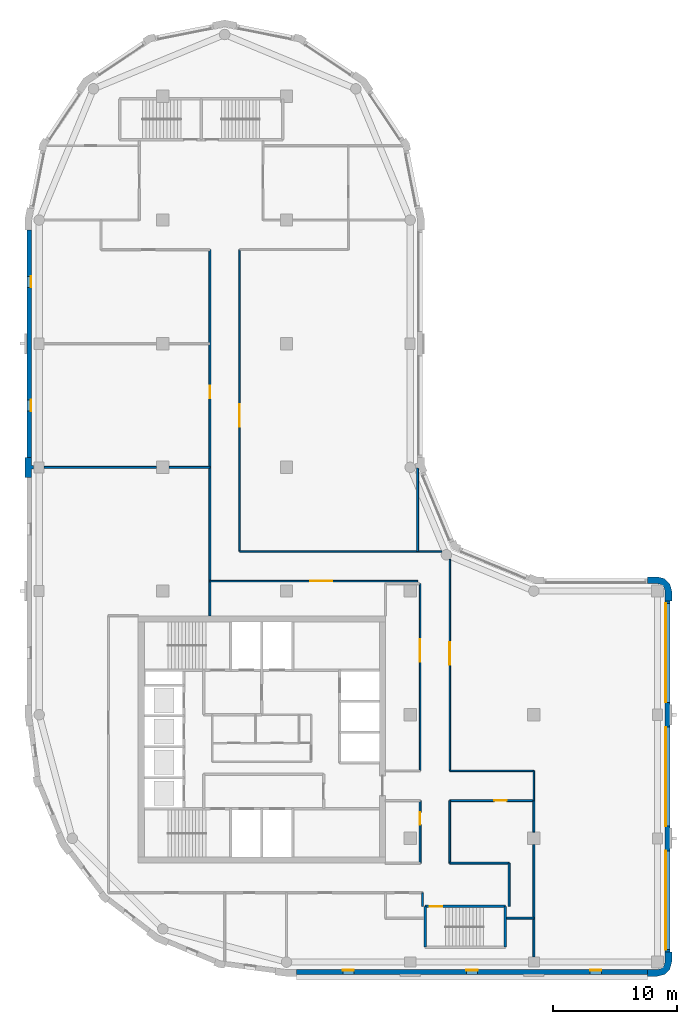
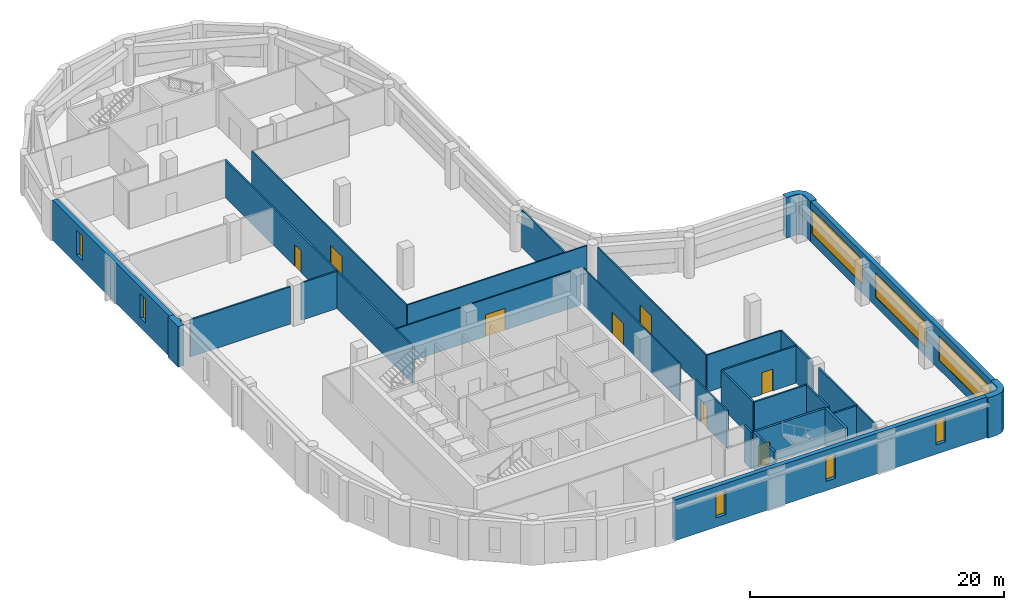
# One storey, part 4 of 9: 29 walls, 8 doors, 8 windows, 16 openings.
"""IFC4 building model written with IfcOpenShell, lengths in metres."""

from ifc_helpers import new_model, si_unit, direction, frame, frame_2d, origin, place, context, subcontext, project, spatial, polyline, rectangle, outline, extrude, material, layer, layer_set, type_object, element, fill, save


model = new_model("IFC4")

# Units and contexts
model_context = context("Model", 3, precision=1e-05, world=origin(), true_north=direction((0.0, 1.0)))
body_context = subcontext(model_context, "Body", "Model", "MODEL_VIEW")
ifc_project = project(units=[si_unit("LENGTHUNIT", "METRE"), si_unit("AREAUNIT", "SQUARE_METRE"), si_unit("VOLUMEUNIT", "CUBIC_METRE"), si_unit("PLANEANGLEUNIT", "RADIAN"), si_unit("MASSUNIT", "GRAM", prefix="KILO")], contexts=[model_context])

# Site, building, storey
site_placement = place(None, origin())
site = spatial("IfcSite", under=ifc_project, at=site_placement, CompositionType="ELEMENT")
building_placement = place(site_placement, origin())
building = spatial("IfcBuilding", under=site, at=building_placement, Name="Qaws Garden Tower", CompositionType="ELEMENT")
storey_placement = place(building_placement, frame((0.0, 0.0, 251.39990234375)))
storey = spatial("IfcBuildingStorey", under=building, at=storey_placement, Name="L60", CompositionType="ELEMENT", Elevation=251.39990234375)

# Walls
ifc_material_1 = material(Name="Clay facing brick masonry", Category="masonry")
ifc_layer_1 = layer(ifc_material_1, 0.550048828125)
ifc_layer_set_1 = layer_set([ifc_layer_1], Name="Clay facing brick masonry")
wall_type_1 = type_object("IfcWallType", Name="Brick corner pier 550 x 2400", PredefinedType="SOLIDWALL", material=ifc_layer_set_1)
placement = place(storey_placement, origin())
element("IfcWall", 1, at=placement, inside=storey, type_object=wall_type_1, Name="E-L60-pier-03", PredefinedType="SOLIDWALL", context=body_context, shape_type="SweptSolid", body=[
    extrude(outline(polyline([(49.199951171875, -1.0), (49.199951171875, -1.14990234375), (50.0, -1.14990234375), (50.574951171875, -0.995849609375), (50.995849609375, -0.574951171875), (51.14990234375, 0.0), (51.14990234375, 0.800048828125), (51.0, 0.800048828125), (50.60009765625, 0.800048828125), (50.60009765625, 0.0), (50.51953125, -0.300048828125), (50.300048828125, -0.51953125), (50.0, -0.60009765625), (49.199951171875, -0.60009765625), (49.199951171875, -1.0)])), origin(), (0.0, 0.0, 1.0), 3.900146484375),
])
element("IfcWall", 2, at=placement, inside=storey, type_object=wall_type_1, Name="E-L60-pier-06", PredefinedType="SOLIDWALL", context=body_context, shape_type="SweptSolid", body=[
    extrude(outline(polyline([(51.0, 29.199951171875), (51.14990234375, 29.199951171875), (51.14990234375, 30.0), (50.995849609375, 30.574951171875), (50.574951171875, 30.995849609375), (50.0, 31.14990234375), (49.199951171875, 31.14990234375), (49.199951171875, 31.0), (49.199951171875, 30.60009765625), (50.0, 30.60009765625), (50.300048828125, 30.51953125), (50.51953125, 30.300048828125), (50.60009765625, 30.0), (50.60009765625, 29.199951171875), (51.0, 29.199951171875)])), origin(), (0.0, 0.0, 1.0), 3.900146484375),
])

# Wall, openings, windows
ifc_material_2 = material(Name="Clay facing brick masonry", Category="masonry")
ifc_layer_2 = layer(ifc_material_2, 0.39990234375)
ifc_layer_set_2 = layer_set([ifc_layer_2], Name="Clay facing brick masonry")
wall_type_2 = type_object("IfcWallType", Name="Brick infill wall 400", PredefinedType="SOLIDWALL", material=ifc_layer_set_2)
wall_3_placement = place(storey_placement, frame((20.800048828125, -0.800048828125, 0.0), z_axis=(0.0, 0.0, 1.0), x_axis=(1.0, 0.0, 0.0)))
wall_3 = element("IfcWall", 3, at=wall_3_placement, inside=storey, type_object=wall_type_2, Name="E-L60-infill-00", PredefinedType="SOLIDWALL", context=body_context, shape_type="SweptSolid", body=[
    extrude(rectangle(XDim=28.39990234375, YDim=0.39990234375, at=frame_2d((14.199951171875, 0.0))), origin(), (0.0, 0.0, 1.0), 3.900146484375),
])
opening_1_placement = place(wall_3_placement, frame((3.75, 0.0, 0.89990234375)))
opening_1 = element("IfcOpeningElement", 4, at=opening_1_placement, cuts=wall_3, Name="Opening W09", PredefinedType="OPENING", context=body_context, shape_type="SweptSolid", body=[
    extrude(rectangle(XDim=0.89990234375, YDim=2.35009765625, at=frame_2d((0.449951171875, 1.175048828125))), frame((0.0, 0.2099609375, 0.0), z_axis=(0.0, -1.0, 0.0), x_axis=(1.0, 0.0, 0.0)), (0.0, 0.0, 1.0), 0.419921875),
])
opening_2_placement = place(wall_3_placement, frame((13.75, 0.0, 0.89990234375)))
opening_2 = element("IfcOpeningElement", 5, at=opening_2_placement, cuts=wall_3, Name="Opening W09", PredefinedType="OPENING", context=body_context, shape_type="SweptSolid", body=[
    extrude(rectangle(XDim=0.89990234375, YDim=2.35009765625, at=frame_2d((0.449951171875, 1.175048828125))), frame((0.0, 0.2099609375, 0.0), z_axis=(0.0, -1.0, 0.0), x_axis=(1.0, 0.0, 0.0)), (0.0, 0.0, 1.0), 0.419921875),
])
opening_3_placement = place(wall_3_placement, frame((23.75, 0.0, 0.89990234375)))
opening_3 = element("IfcOpeningElement", 6, at=opening_3_placement, cuts=wall_3, Name="Opening W09", PredefinedType="OPENING", context=body_context, shape_type="SweptSolid", body=[
    extrude(rectangle(XDim=0.89990234375, YDim=2.35009765625, at=frame_2d((0.449951171875, 1.175048828125))), frame((0.0, 0.2099609375, 0.0), z_axis=(0.0, -1.0, 0.0), x_axis=(1.0, 0.0, 0.0)), (0.0, 0.0, 1.0), 0.419921875),
])
ifc_material_3 = material(Name="Aluminium framed window, clear glazing", Category="aluminium")
window_type_1 = type_object("IfcWindowType", Name="Slit window 900 x 2350", PartitioningType="SINGLE_PANEL", PredefinedType="WINDOW", material=ifc_material_3)
window_1_placement = place(opening_1_placement, origin())
window_1 = element("IfcWindow", 7, at=window_1_placement, inside=storey, type_object=window_type_1, Name="E-L60-window-00-0", OverallHeight=2.35009765625, OverallWidth=0.89990234375, PartitioningType="SINGLE_PANEL", PredefinedType="WINDOW", context=body_context, shape_type="SweptSolid", body=[
    extrude(rectangle(XDim=0.89990234375, YDim=2.35009765625, at=frame_2d((0.449951171875, 1.175048828125))), frame((0.0, 0.159912109375, 0.0), z_axis=(0.0, -1.0, 0.0), x_axis=(1.0, 0.0, 0.0)), (0.0, 0.0, 1.0), 0.06005859375),
])
fill(opening_1, window_1)
window_2_placement = place(opening_2_placement, origin())
window_2 = element("IfcWindow", 8, at=window_2_placement, inside=storey, type_object=window_type_1, Name="E-L60-window-01-0", OverallHeight=2.35009765625, OverallWidth=0.89990234375, PartitioningType="SINGLE_PANEL", PredefinedType="WINDOW", context=body_context, shape_type="SweptSolid", body=[
    extrude(rectangle(XDim=0.89990234375, YDim=2.35009765625, at=frame_2d((0.449951171875, 1.175048828125))), frame((0.0, 0.159912109375, 0.0), z_axis=(0.0, -1.0, 0.0), x_axis=(1.0, 0.0, 0.0)), (0.0, 0.0, 1.0), 0.06005859375),
])
fill(opening_2, window_2)
window_3_placement = place(opening_3_placement, origin())
window_3 = element("IfcWindow", 9, at=window_3_placement, inside=storey, type_object=window_type_1, Name="E-L60-window-02-0", OverallHeight=2.35009765625, OverallWidth=0.89990234375, PartitioningType="SINGLE_PANEL", PredefinedType="WINDOW", context=body_context, shape_type="SweptSolid", body=[
    extrude(rectangle(XDim=0.89990234375, YDim=2.35009765625, at=frame_2d((0.449951171875, 1.175048828125))), frame((0.0, 0.159912109375, 0.0), z_axis=(0.0, -1.0, 0.0), x_axis=(1.0, 0.0, 0.0)), (0.0, 0.0, 1.0), 0.06005859375),
])
fill(opening_3, window_3)

wall_4_placement = place(storey_placement, frame((50.800048828125, 0.800048828125, 0.0), z_axis=(0.0, 0.0, 1.0), x_axis=(0.0, 1.0, 0.0)))
wall_4 = element("IfcWall", 10, at=wall_4_placement, inside=storey, type_object=wall_type_2, Name="E-L60-infill-03", PredefinedType="SOLIDWALL", context=body_context, shape_type="SweptSolid", body=[
    extrude(rectangle(XDim=28.39990234375, YDim=0.39990234375, at=frame_2d((14.199951171875, 0.0))), origin(), (0.0, 0.0, 1.0), 3.900146484375),
])
opening_4_placement = place(wall_4_placement, frame((0.199951171875, 0.0, 0.89990234375)))
opening_4 = element("IfcOpeningElement", 11, at=opening_4_placement, cuts=wall_4, Name="Opening W01", PredefinedType="OPENING", context=body_context, shape_type="SweptSolid", body=[
    extrude(rectangle(XDim=8.0, YDim=2.35009765625, at=frame_2d((4.0, 1.175048828125))), frame((0.0, 0.2099609375, 0.0), z_axis=(0.0, -1.0, 0.0), x_axis=(1.0, 0.0, 0.0)), (0.0, 0.0, 1.0), 0.419921875),
])
opening_5_placement = place(wall_4_placement, frame((10.199951171875, 0.0, 0.89990234375)))
opening_5 = element("IfcOpeningElement", 12, at=opening_5_placement, cuts=wall_4, Name="Opening W01", PredefinedType="OPENING", context=body_context, shape_type="SweptSolid", body=[
    extrude(rectangle(XDim=8.0, YDim=2.35009765625, at=frame_2d((4.0, 1.175048828125))), frame((0.0, 0.2099609375, 0.0), z_axis=(0.0, -1.0, 0.0), x_axis=(1.0, 0.0, 0.0)), (0.0, 0.0, 1.0), 0.419921875),
])
opening_6_placement = place(wall_4_placement, frame((20.199951171875, 0.0, 0.89990234375)))
opening_6 = element("IfcOpeningElement", 13, at=opening_6_placement, cuts=wall_4, Name="Opening W01", PredefinedType="OPENING", context=body_context, shape_type="SweptSolid", body=[
    extrude(rectangle(XDim=8.0, YDim=2.35009765625, at=frame_2d((4.0, 1.175048828125))), frame((0.0, 0.2099609375, 0.0), z_axis=(0.0, -1.0, 0.0), x_axis=(1.0, 0.0, 0.0)), (0.0, 0.0, 1.0), 0.419921875),
])
ifc_material_4 = material(Name="Aluminium framed window, clear glazing", Category="aluminium")
window_type_2 = type_object("IfcWindowType", Name="Ribbon window 8000 x 2350", PartitioningType="DOUBLE_PANEL_VERTICAL", PredefinedType="WINDOW", material=ifc_material_4)
window_4_placement = place(opening_4_placement, origin())
window_4 = element("IfcWindow", 14, at=window_4_placement, inside=storey, type_object=window_type_2, Name="E-L60-window-03-0", OverallHeight=2.35009765625, OverallWidth=8.0, PartitioningType="SINGLE_PANEL", PredefinedType="WINDOW", context=body_context, shape_type="SweptSolid", body=[
    extrude(rectangle(XDim=8.0, YDim=2.35009765625, at=frame_2d((4.0, 1.175048828125))), frame((0.0, 0.159912109375, 0.0), z_axis=(0.0, -1.0, 0.0), x_axis=(1.0, 0.0, 0.0)), (0.0, 0.0, 1.0), 0.06005859375),
])
fill(opening_4, window_4)
window_5_placement = place(opening_5_placement, origin())
window_5 = element("IfcWindow", 15, at=window_5_placement, inside=storey, type_object=window_type_2, Name="E-L60-window-04-0", OverallHeight=2.35009765625, OverallWidth=8.0, PartitioningType="SINGLE_PANEL", PredefinedType="WINDOW", context=body_context, shape_type="SweptSolid", body=[
    extrude(rectangle(XDim=8.0, YDim=2.35009765625, at=frame_2d((4.0, 1.175048828125))), frame((0.0, 0.159912109375, 0.0), z_axis=(0.0, -1.0, 0.0), x_axis=(1.0, 0.0, 0.0)), (0.0, 0.0, 1.0), 0.06005859375),
])
fill(opening_5, window_5)
window_6_placement = place(opening_6_placement, origin())
window_6 = element("IfcWindow", 16, at=window_6_placement, inside=storey, type_object=window_type_2, Name="E-L60-window-05-0", OverallHeight=2.35009765625, OverallWidth=8.0, PartitioningType="SINGLE_PANEL", PredefinedType="WINDOW", context=body_context, shape_type="SweptSolid", body=[
    extrude(rectangle(XDim=8.0, YDim=2.35009765625, at=frame_2d((4.0, 1.175048828125))), frame((0.0, 0.159912109375, 0.0), z_axis=(0.0, -1.0, 0.0), x_axis=(1.0, 0.0, 0.0)), (0.0, 0.0, 1.0), 0.06005859375),
])
fill(opening_6, window_6)

wall_5_placement = place(storey_placement, frame((-0.800048828125, 59.199951171875, 0.0), z_axis=(0.0, 0.0, 1.0), x_axis=(0.0, -1.0, 0.0)))
wall_5 = element("IfcWall", 17, at=wall_5_placement, inside=storey, type_object=wall_type_2, Name="E-L60-infill-19", PredefinedType="SOLIDWALL", context=body_context, shape_type="SweptSolid", body=[
    extrude(rectangle(XDim=18.39990234375, YDim=0.39990234375, at=frame_2d((9.199951171875, 0.0))), origin(), (0.0, 0.0, 1.0), 3.900146484375),
])
opening_7_placement = place(wall_5_placement, frame((3.75, 0.0, 0.89990234375)))
opening_7 = element("IfcOpeningElement", 18, at=opening_7_placement, cuts=wall_5, Name="Opening W09", PredefinedType="OPENING", context=body_context, shape_type="SweptSolid", body=[
    extrude(rectangle(XDim=0.89990234375, YDim=2.35009765625, at=frame_2d((0.449951171875, 1.175048828125))), frame((0.0, 0.2099609375, 0.0), z_axis=(0.0, -1.0, 0.0), x_axis=(1.0, 0.0, 0.0)), (0.0, 0.0, 1.0), 0.419921875),
])
opening_8_placement = place(wall_5_placement, frame((13.75, 0.0, 0.89990234375)))
opening_8 = element("IfcOpeningElement", 19, at=opening_8_placement, cuts=wall_5, Name="Opening W09", PredefinedType="OPENING", context=body_context, shape_type="SweptSolid", body=[
    extrude(rectangle(XDim=0.89990234375, YDim=2.35009765625, at=frame_2d((0.449951171875, 1.175048828125))), frame((0.0, 0.2099609375, 0.0), z_axis=(0.0, -1.0, 0.0), x_axis=(1.0, 0.0, 0.0)), (0.0, 0.0, 1.0), 0.419921875),
])
window_7_placement = place(opening_7_placement, origin())
window_7 = element("IfcWindow", 20, at=window_7_placement, inside=storey, type_object=window_type_1, Name="E-L60-window-19-0", OverallHeight=2.35009765625, OverallWidth=0.89990234375, PartitioningType="SINGLE_PANEL", PredefinedType="WINDOW", context=body_context, shape_type="SweptSolid", body=[
    extrude(rectangle(XDim=0.89990234375, YDim=2.35009765625, at=frame_2d((0.449951171875, 1.175048828125))), frame((0.0, 0.159912109375, 0.0), z_axis=(0.0, -1.0, 0.0), x_axis=(1.0, 0.0, 0.0)), (0.0, 0.0, 1.0), 0.06005859375),
])
fill(opening_7, window_7)
window_8_placement = place(opening_8_placement, origin())
window_8 = element("IfcWindow", 21, at=window_8_placement, inside=storey, type_object=window_type_1, Name="E-L60-window-20-0", OverallHeight=2.35009765625, OverallWidth=0.89990234375, PartitioningType="SINGLE_PANEL", PredefinedType="WINDOW", context=body_context, shape_type="SweptSolid", body=[
    extrude(rectangle(XDim=0.89990234375, YDim=2.35009765625, at=frame_2d((0.449951171875, 1.175048828125))), frame((0.0, 0.159912109375, 0.0), z_axis=(0.0, -1.0, 0.0), x_axis=(1.0, 0.0, 0.0)), (0.0, 0.0, 1.0), 0.06005859375),
])
fill(opening_8, window_8)

# Wall
ifc_material_5 = material(Name="Clay facing brick masonry", Category="masonry")
ifc_layer_3 = layer(ifc_material_5, 0.550048828125)
ifc_layer_set_3 = layer_set([ifc_layer_3], Name="Clay facing brick masonry")
wall_type_3 = type_object("IfcWallType", Name="Brick pier 550 x 1600", PredefinedType="SOLIDWALL", material=ifc_layer_set_3)
element("IfcWall", 22, at=placement, inside=storey, type_object=wall_type_3, Name="E-L60-pier-21", PredefinedType="SOLIDWALL", context=body_context, shape_type="SweptSolid", body=[
    extrude(outline(polyline([(-0.60009765625, 39.199951171875), (-0.60009765625, 39.85009765625), (-0.449951171875, 39.85009765625), (-0.449951171875, 40.14990234375), (-0.60009765625, 40.14990234375), (-0.60009765625, 40.800048828125), (-1.0, 40.800048828125), (-1.14990234375, 40.800048828125), (-1.14990234375, 40.0), (-1.14990234375, 39.199951171875), (-1.0, 39.199951171875), (-0.60009765625, 39.199951171875)])), origin(), (0.0, 0.0, 1.0), 3.900146484375),
])

# Wall, opening, door
ifc_material_6 = material(Name="Concrete C60", Category="concrete")
ifc_layer_4 = layer(ifc_material_6, 0.199951171875)
ifc_layer_set_4 = layer_set([ifc_layer_4], Name="Concrete C60")
wall_type_4 = type_object("IfcWallType", Name="Core shaft wall 200 C60", PredefinedType="SHEAR", material=ifc_layer_set_4)
wall_7_placement = place(storey_placement, frame((31.199951171875, 4.5, 0.0), z_axis=(0.0, 0.0, 1.0), x_axis=(1.0, 0.0, 0.0)))
wall_7 = element("IfcWall", 23, at=wall_7_placement, inside=storey, type_object=wall_type_4, Name="Shaft wall", PredefinedType="SHEAR", context=body_context, shape_type="SweptSolid", body=[
    extrude(rectangle(XDim=6.5, YDim=0.199951171875, at=frame_2d((3.25, 0.0))), origin(), (0.0, 0.0, 1.0), 3.580078125),
])
opening_9_placement = place(wall_7_placement, frame((0.375, 0.0, 0.0)))
opening_9 = element("IfcOpeningElement", 24, at=opening_9_placement, cuts=wall_7, Name="Opening SD12", PredefinedType="OPENING", context=body_context, shape_type="SweptSolid", body=[
    extrude(rectangle(XDim=1.0, YDim=2.10009765625, at=frame_2d((0.5, 1.050048828125))), frame((0.0, 0.10986328125, 0.0), z_axis=(0.0, -1.0, 0.0), x_axis=(1.0, 0.0, 0.0)), (0.0, 0.0, 1.0), 0.219970703125),
])
ifc_material_7 = material(Name="Steel S235", Category="steel")
door_type_1 = type_object("IfcDoorType", Name="Stair door 1000x2100", OperationType="SINGLE_SWING_RIGHT", PredefinedType="DOOR", material=ifc_material_7)
door_1_placement = place(opening_9_placement, frame((1.0, 0.0, 0.0), z_axis=(0.0, 0.0, 1.0), x_axis=(-1.0, 0.0, 0.0)))
door_1 = element("IfcDoor", 25, at=door_1_placement, inside=storey, type_object=door_type_1, Name="Stair 5 door", OperationType="SINGLE_SWING_RIGHT", OverallHeight=2.10009765625, OverallWidth=1.0, PredefinedType="DOOR", context=body_context, shape_type="SweptSolid", body=[
    extrude(rectangle(XDim=1.0, YDim=2.10009765625, at=frame_2d((0.5, 1.050048828125))), frame((0.0, 0.02490234375, 0.0), z_axis=(0.0, -1.0, 0.0), x_axis=(1.0, 0.0, 0.0)), (0.0, 0.0, 1.0), 0.050048828125),
])
fill(opening_9, door_1)

# Walls
for number, where, z_axis, x_axis, name in (
    (26, (31.199951171875, 1.199951171875, 0.0), (0.0, 0.0, 1.0), (0.0, 1.0, 0.0), "Shaft wall"),
    (27, (37.699951171875, 1.199951171875, 0.0), (0.0, 0.0, 1.0), (0.0, 1.0, 0.0), "Shaft wall"),
):
    element("IfcWall", number, at=place(storey_placement, frame(where, z_axis=z_axis, x_axis=x_axis)), inside=storey, type_object=wall_type_4, Name=name, PredefinedType="SHEAR", context=body_context, shape_type="SweptSolid", body=[
        extrude(rectangle(XDim=3.300048828125, YDim=0.199951171875, at=frame_2d((1.64990234375, 0.0))), origin(), (0.0, 0.0, 1.0), 3.580078125),
    ])

# Wall, opening, door
ifc_material_8 = material(Name="Glass and aluminium framing", Category="aluminium")
ifc_layer_5 = layer(ifc_material_8, 0.1201171875)
ifc_layer_set_5 = layer_set([ifc_layer_5], Name="Glass and aluminium framing")
wall_type_5 = type_object("IfcWallType", Name="GLAZED PARTITION 120 EI 30", PredefinedType="PARTITIONING", material=ifc_layer_set_5)
wall_8_placement = place(storey_placement, frame((16.199951171875, 33.199951171875, 0.0), z_axis=(0.0, 0.0, 1.0), x_axis=(0.0, 1.0, 0.0)))
wall_8 = element("IfcWall", 28, at=wall_8_placement, inside=storey, type_object=wall_type_5, Name="O-L60-wall-036", PredefinedType="PARTITIONING", context=body_context, shape_type="SweptSolid", body=[
    extrude(rectangle(XDim=24.400146484375, YDim=0.1201171875, at=frame_2d((12.2001953125, 0.0))), origin(), (0.0, 0.0, 1.0), 3.580078125),
])
opening_10_placement = place(wall_8_placement, frame((10.10009765625, 0.0, 0.0)))
opening_10 = element("IfcOpeningElement", 29, at=opening_10_placement, cuts=wall_8, Name="Opening C104", PredefinedType="OPENING", context=body_context, shape_type="SweptSolid", body=[
    extrude(rectangle(XDim=1.800048828125, YDim=2.10009765625, at=frame_2d((0.89990234375, 1.050048828125))), frame((0.0, 0.070068359375, 0.0), z_axis=(0.0, -1.0, 0.0), x_axis=(1.0, 0.0, 0.0)), (0.0, 0.0, 1.0), 0.14013671875),
])
ifc_material_9 = material(Name="Timber door leaf", Category="wood")
door_type_2 = type_object("IfcDoorType", Name="DOUBLE DOOR 1800 X 2100", OperationType="DOUBLE_DOOR_SINGLE_SWING", PredefinedType="DOOR", material=ifc_material_9)
door_2_placement = place(opening_10_placement, frame((1.800048828125, 0.0, 0.0), z_axis=(0.0, 0.0, 1.0), x_axis=(-1.0, 0.0, 0.0)))
door_2 = element("IfcDoor", 30, at=door_2_placement, inside=storey, type_object=door_type_2, Name="O-L60-door-004", OperationType="DOUBLE_DOOR_SINGLE_SWING", OverallHeight=2.10009765625, OverallWidth=1.800048828125, PredefinedType="DOOR", context=body_context, shape_type="SweptSolid", body=[
    extrude(rectangle(XDim=1.800048828125, YDim=2.10009765625, at=frame_2d((0.89990234375, 1.050048828125))), frame((0.0, 0.02490234375, 0.0), z_axis=(0.0, -1.0, 0.0), x_axis=(1.0, 0.0, 0.0)), (0.0, 0.0, 1.0), 0.050048828125),
])
fill(opening_10, door_2)

wall_9_placement = place(storey_placement, frame((30.800048828125, 15.449951171875, 0.0), z_axis=(0.0, 0.0, 1.0), x_axis=(0.0, 1.0, 0.0)))
wall_9 = element("IfcWall", 31, at=wall_9_placement, inside=storey, type_object=wall_type_5, Name="O-L60-wall-039", PredefinedType="PARTITIONING", context=body_context, shape_type="SweptSolid", body=[
    extrude(rectangle(XDim=15.150146484375, YDim=0.1201171875, at=frame_2d((7.5751953125, 0.0))), origin(), (0.0, 0.0, 1.0), 3.580078125),
])
opening_11_placement = place(wall_9_placement, frame((8.85009765625, 0.0, 0.0)))
opening_11 = element("IfcOpeningElement", 32, at=opening_11_placement, cuts=wall_9, Name="Opening C109", PredefinedType="OPENING", context=body_context, shape_type="SweptSolid", body=[
    extrude(rectangle(XDim=1.800048828125, YDim=2.10009765625, at=frame_2d((0.89990234375, 1.050048828125))), frame((0.0, 0.070068359375, 0.0), z_axis=(0.0, -1.0, 0.0), x_axis=(1.0, 0.0, 0.0)), (0.0, 0.0, 1.0), 0.14013671875),
])
door_3_placement = place(opening_11_placement, origin())
door_3 = element("IfcDoor", 33, at=door_3_placement, inside=storey, type_object=door_type_2, Name="O-L60-door-009", OperationType="DOUBLE_DOOR_SINGLE_SWING", OverallHeight=2.10009765625, OverallWidth=1.800048828125, PredefinedType="DOOR", context=body_context, shape_type="SweptSolid", body=[
    extrude(rectangle(XDim=1.800048828125, YDim=2.10009765625, at=frame_2d((0.89990234375, 1.050048828125))), frame((0.0, 0.02490234375, 0.0), z_axis=(0.0, -1.0, 0.0), x_axis=(1.0, 0.0, 0.0)), (0.0, 0.0, 1.0), 0.050048828125),
])
fill(opening_11, door_3)

wall_10_placement = place(storey_placement, frame((33.199951171875, 15.449951171875, 0.0), z_axis=(0.0, 0.0, 1.0), x_axis=(0.0, 1.0, 0.0)))
wall_10 = element("IfcWall", 34, at=wall_10_placement, inside=storey, type_object=wall_type_5, Name="O-L60-wall-040", PredefinedType="PARTITIONING", context=body_context, shape_type="SweptSolid", body=[
    extrude(rectangle(XDim=17.110107421875, YDim=0.1201171875, at=frame_2d((8.55517578125, 0.0))), origin(), (0.0, 0.0, 1.0), 3.580078125),
])
opening_12_placement = place(wall_10_placement, frame((8.60009765625, 0.0, 0.0)))
opening_12 = element("IfcOpeningElement", 35, at=opening_12_placement, cuts=wall_10, Name="Opening C110", PredefinedType="OPENING", context=body_context, shape_type="SweptSolid", body=[
    extrude(rectangle(XDim=1.800048828125, YDim=2.10009765625, at=frame_2d((0.89990234375, 1.050048828125))), frame((0.0, 0.070068359375, 0.0), z_axis=(0.0, -1.0, 0.0), x_axis=(1.0, 0.0, 0.0)), (0.0, 0.0, 1.0), 0.14013671875),
])
door_4_placement = place(opening_12_placement, frame((1.800048828125, 0.0, 0.0), z_axis=(0.0, 0.0, 1.0), x_axis=(-1.0, 0.0, 0.0)))
door_4 = element("IfcDoor", 36, at=door_4_placement, inside=storey, type_object=door_type_2, Name="O-L60-door-010", OperationType="DOUBLE_DOOR_SINGLE_SWING", OverallHeight=2.10009765625, OverallWidth=1.800048828125, PredefinedType="DOOR", context=body_context, shape_type="SweptSolid", body=[
    extrude(rectangle(XDim=1.800048828125, YDim=2.10009765625, at=frame_2d((0.89990234375, 1.050048828125))), frame((0.0, 0.02490234375, 0.0), z_axis=(0.0, -1.0, 0.0), x_axis=(1.0, 0.0, 0.0)), (0.0, 0.0, 1.0), 0.050048828125),
])
fill(opening_12, door_4)

# Walls
wall_11_placement = place(storey_placement, frame((40.0, 13.050048828125, 0.0), z_axis=(0.0, 0.0, 1.0), x_axis=(0.0, 1.0, 0.0)))
element("IfcWall", 37, at=wall_11_placement, inside=storey, type_object=wall_type_5, Name="O-L60-wall-041", PredefinedType="PARTITIONING", context=body_context, shape_type="SweptSolid", body=[
    extrude(rectangle(XDim=2.39990234375, YDim=0.1201171875, at=frame_2d((1.199951171875, 0.0))), origin(), (0.0, 0.0, 1.0), 3.580078125),
])
wall_12_placement = place(storey_placement, frame((33.199951171875, 15.449951171875, 0.0), z_axis=(0.0, 0.0, 1.0), x_axis=(1.0, 0.0, 0.0)))
element("IfcWall", 38, at=wall_12_placement, inside=storey, type_object=wall_type_5, Name="O-L60-wall-043", PredefinedType="PARTITIONING", context=body_context, shape_type="SweptSolid", body=[
    extrude(rectangle(XDim=6.800048828125, YDim=0.1201171875, at=frame_2d((3.39990234375, 0.0))), origin(), (0.0, 0.0, 1.0), 3.580078125),
])

# Wall, opening, door
wall_13_placement = place(storey_placement, frame((13.802001953125, 30.800048828125, 0.0), z_axis=(0.0, 0.0, 1.0), x_axis=(1.0, 0.0, 0.0)))
wall_13 = element("IfcWall", 39, at=wall_13_placement, inside=storey, type_object=wall_type_5, Name="O-L60-wall-044", PredefinedType="PARTITIONING", context=body_context, shape_type="SweptSolid", body=[
    extrude(rectangle(XDim=16.798095703125, YDim=0.1201171875, at=frame_2d((8.39892578125, 0.0))), origin(), (0.0, 0.0, 1.0), 3.580078125),
])
opening_13_placement = place(wall_13_placement, frame((8.10009765625, 0.0, 0.0)))
opening_13 = element("IfcOpeningElement", 40, at=opening_13_placement, cuts=wall_13, Name="Opening C107", PredefinedType="OPENING", context=body_context, shape_type="SweptSolid", body=[
    extrude(rectangle(XDim=1.800048828125, YDim=2.10009765625, at=frame_2d((0.89990234375, 1.050048828125))), frame((0.0, 0.070068359375, 0.0), z_axis=(0.0, -1.0, 0.0), x_axis=(1.0, 0.0, 0.0)), (0.0, 0.0, 1.0), 0.14013671875),
])
door_5_placement = place(opening_13_placement, frame((1.800048828125, 0.0, 0.0), z_axis=(0.0, 0.0, 1.0), x_axis=(-1.0, 0.0, 0.0)))
door_5 = element("IfcDoor", 41, at=door_5_placement, inside=storey, type_object=door_type_2, Name="O-L60-door-007", OperationType="DOUBLE_DOOR_SINGLE_SWING", OverallHeight=2.10009765625, OverallWidth=1.800048828125, PredefinedType="DOOR", context=body_context, shape_type="SweptSolid", body=[
    extrude(rectangle(XDim=1.800048828125, YDim=2.10009765625, at=frame_2d((0.89990234375, 1.050048828125))), frame((0.0, 0.02490234375, 0.0), z_axis=(0.0, -1.0, 0.0), x_axis=(1.0, 0.0, 0.0)), (0.0, 0.0, 1.0), 0.050048828125),
])
fill(opening_13, door_5)

# Wall
wall_14_placement = place(storey_placement, frame((16.199951171875, 33.199951171875, 0.0), z_axis=(0.0, 0.0, 1.0), x_axis=(1.0, 0.0, 0.0)))
element("IfcWall", 42, at=wall_14_placement, inside=storey, type_object=wall_type_5, Name="O-L60-wall-045", PredefinedType="PARTITIONING", context=body_context, shape_type="SweptSolid", body=[
    extrude(rectangle(XDim=16.360107421875, YDim=0.1201171875, at=frame_2d((8.18017578125, 0.0))), origin(), (0.0, 0.0, 1.0), 3.580078125),
])

# Wall, opening, door
ifc_material_10 = material(Name="Gypsum board partition")
ifc_layer_6 = layer(ifc_material_10, 0.14990234375)
ifc_layer_set_6 = layer_set([ifc_layer_6], Name="Gypsum board partition")
wall_type_6 = type_object("IfcWallType", Name="PARTITION 150 EI 60", PredefinedType="PARTITIONING", material=ifc_layer_set_6)
wall_15_placement = place(storey_placement, frame((13.800048828125, 28.0, 0.0), z_axis=(0.0, 0.0, 1.0), x_axis=(0.0, 1.0, 0.0)))
wall_15 = element("IfcWall", 43, at=wall_15_placement, inside=storey, type_object=wall_type_6, Name="O-L60-wall-006", PredefinedType="PARTITIONING", context=body_context, shape_type="SweptSolid", body=[
    extrude(rectangle(XDim=29.60009765625, YDim=0.14990234375, at=frame_2d((14.800048828125, 0.0))), origin(), (0.0, 0.0, 1.0), 3.580078125),
])
opening_14_placement = place(wall_15_placement, frame((17.60107421875, 0.0, 0.0)))
opening_14 = element("IfcOpeningElement", 44, at=opening_14_placement, cuts=wall_15, Name="Opening C115", PredefinedType="OPENING", context=body_context, shape_type="SweptSolid", body=[
    extrude(rectangle(XDim=1.0, YDim=2.10009765625, at=frame_2d((0.5, 1.050048828125))), frame((0.0, 0.0849609375, 0.0), z_axis=(0.0, -1.0, 0.0), x_axis=(1.0, 0.0, 0.0)), (0.0, 0.0, 1.0), 0.169921875),
])
ifc_material_11 = material(Name="Timber door leaf", Category="wood")
door_type_3 = type_object("IfcDoorType", Name="TENANCY ENTRANCE DOOR 1000 X 2100", OperationType="SINGLE_SWING_LEFT", PredefinedType="DOOR", material=ifc_material_11)
door_6_placement = place(opening_14_placement, origin())
door_6 = element("IfcDoor", 45, at=door_6_placement, inside=storey, type_object=door_type_3, Name="O-L60-door-015", OperationType="SINGLE_SWING_LEFT", OverallHeight=2.10009765625, OverallWidth=1.0, PredefinedType="DOOR", context=body_context, shape_type="SweptSolid", body=[
    extrude(rectangle(XDim=1.0, YDim=2.10009765625, at=frame_2d((0.5, 1.050048828125))), frame((0.0, 0.02490234375, 0.0), z_axis=(0.0, -1.0, 0.0), x_axis=(1.0, 0.0, 0.0)), (0.0, 0.0, 1.0), 0.050048828125),
])
fill(opening_14, door_6)

# Wall
wall_16_placement = place(storey_placement, frame((30.60009765625, 33.199951171875, 0.0), z_axis=(0.0, 0.0, 1.0), x_axis=(0.0, 1.0, 0.0)))
element("IfcWall", 46, at=wall_16_placement, inside=storey, type_object=wall_type_6, Name="O-L60-wall-012", PredefinedType="PARTITIONING", context=body_context, shape_type="SweptSolid", body=[
    extrude(rectangle(XDim=6.73828125, YDim=0.14990234375, at=frame_2d((3.369140625, 0.0))), origin(), (0.0, 0.0, 1.0), 3.580078125),
])

# Wall, opening, door
wall_17_placement = place(storey_placement, frame((30.800048828125, 8.0, 0.0), z_axis=(0.0, 0.0, 1.0), x_axis=(0.0, 1.0, 0.0)))
wall_17 = element("IfcWall", 47, at=wall_17_placement, inside=storey, type_object=wall_type_6, Name="O-L60-wall-013", PredefinedType="PARTITIONING", context=body_context, shape_type="SweptSolid", body=[
    extrude(rectangle(XDim=5.050048828125, YDim=0.14990234375, at=frame_2d((2.52490234375, 0.0))), origin(), (0.0, 0.0, 1.0), 3.580078125),
])
opening_15_placement = place(wall_17_placement, frame((3.10009765625, 0.0, 0.0)))
opening_15 = element("IfcOpeningElement", 48, at=opening_15_placement, cuts=wall_17, Name="Opening C113", PredefinedType="OPENING", context=body_context, shape_type="SweptSolid", body=[
    extrude(rectangle(XDim=1.0, YDim=2.10009765625, at=frame_2d((0.5, 1.050048828125))), frame((0.0, 0.0849609375, 0.0), z_axis=(0.0, -1.0, 0.0), x_axis=(1.0, 0.0, 0.0)), (0.0, 0.0, 1.0), 0.169921875),
])
door_7_placement = place(opening_15_placement, origin())
door_7 = element("IfcDoor", 49, at=door_7_placement, inside=storey, type_object=door_type_3, Name="O-L60-door-013", OperationType="SINGLE_SWING_RIGHT", OverallHeight=2.10009765625, OverallWidth=1.0, PredefinedType="DOOR", context=body_context, shape_type="SweptSolid", body=[
    extrude(rectangle(XDim=1.0, YDim=2.10009765625, at=frame_2d((0.5, 1.050048828125))), frame((0.0, 0.02490234375, 0.0), z_axis=(0.0, -1.0, 0.0), x_axis=(1.0, 0.0, 0.0)), (0.0, 0.0, 1.0), 0.050048828125),
])
fill(opening_15, door_7)

# Walls
wall_18_placement = place(storey_placement, frame((31.0, 4.5, 0.0), z_axis=(0.0, 0.0, 1.0), x_axis=(0.0, 1.0, 0.0)))
element("IfcWall", 50, at=wall_18_placement, inside=storey, type_object=wall_type_6, Name="O-L60-wall-014", PredefinedType="PARTITIONING", context=body_context, shape_type="SweptSolid", body=[
    extrude(rectangle(XDim=1.10009765625, YDim=0.14990234375, at=frame_2d((0.550048828125, 0.0))), origin(), (0.0, 0.0, 1.0), 3.580078125),
])
wall_19_placement = place(storey_placement, frame((33.199951171875, 8.0, 0.0), z_axis=(0.0, 0.0, 1.0), x_axis=(0.0, 1.0, 0.0)))
element("IfcWall", 51, at=wall_19_placement, inside=storey, type_object=wall_type_6, Name="O-L60-wall-015", PredefinedType="PARTITIONING", context=body_context, shape_type="SweptSolid", body=[
    extrude(rectangle(XDim=5.050048828125, YDim=0.14990234375, at=frame_2d((2.52490234375, 0.0))), origin(), (0.0, 0.0, 1.0), 3.580078125),
])
wall_20_placement = place(storey_placement, frame((38.0, 4.5, 0.0), z_axis=(0.0, 0.0, 1.0), x_axis=(0.0, 1.0, 0.0)))
element("IfcWall", 52, at=wall_20_placement, inside=storey, type_object=wall_type_6, Name="O-L60-wall-016", PredefinedType="PARTITIONING", context=body_context, shape_type="SweptSolid", body=[
    extrude(rectangle(XDim=3.5, YDim=0.14990234375, at=frame_2d((1.75, 0.0))), origin(), (0.0, 0.0, 1.0), 3.580078125),
])
wall_21_placement = place(storey_placement, frame((40.0, 0.39990234375, 0.0), z_axis=(0.0, 0.0, 1.0), x_axis=(0.0, 1.0, 0.0)))
element("IfcWall", 53, at=wall_21_placement, inside=storey, type_object=wall_type_6, Name="O-L60-wall-017", PredefinedType="PARTITIONING", context=body_context, shape_type="SweptSolid", body=[
    extrude(rectangle(XDim=9.10009765625, YDim=0.14990234375, at=frame_2d((4.550048828125, 0.0))), origin(), (0.0, 0.0, 1.0), 3.580078125),
])
wall_22_placement = place(storey_placement, frame((40.0, 10.5, 0.0), z_axis=(0.0, 0.0, 1.0), x_axis=(0.0, 1.0, 0.0)))
element("IfcWall", 54, at=wall_22_placement, inside=storey, type_object=wall_type_6, Name="O-L60-wall-018", PredefinedType="PARTITIONING", context=body_context, shape_type="SweptSolid", body=[
    extrude(rectangle(XDim=2.550048828125, YDim=0.14990234375, at=frame_2d((1.27490234375, 0.0))), origin(), (0.0, 0.0, 1.0), 3.580078125),
])
wall_23_placement = place(storey_placement, frame((37.800048828125, 3.550048828125, 0.0), z_axis=(0.0, 0.0, 1.0), x_axis=(1.0, 0.0, 0.0)))
element("IfcWall", 55, at=wall_23_placement, inside=storey, type_object=wall_type_6, Name="O-L60-wall-020", PredefinedType="PARTITIONING", context=body_context, shape_type="SweptSolid", body=[
    extrude(rectangle(XDim=2.199951171875, YDim=0.14990234375, at=frame_2d((1.10009765625, 0.0))), origin(), (0.0, 0.0, 1.0), 3.580078125),
])
wall_24_placement = place(storey_placement, frame((33.199951171875, 8.0, 0.0), z_axis=(0.0, 0.0, 1.0), x_axis=(1.0, 0.0, 0.0)))
element("IfcWall", 56, at=wall_24_placement, inside=storey, type_object=wall_type_6, Name="O-L60-wall-023", PredefinedType="PARTITIONING", context=body_context, shape_type="SweptSolid", body=[
    extrude(rectangle(XDim=4.800048828125, YDim=0.14990234375, at=frame_2d((2.39990234375, 0.0))), origin(), (0.0, 0.0, 1.0), 3.580078125),
])

# Wall, opening, door
wall_25_placement = place(storey_placement, frame((33.199951171875, 13.050048828125, 0.0), z_axis=(0.0, 0.0, 1.0), x_axis=(1.0, 0.0, 0.0)))
wall_25 = element("IfcWall", 57, at=wall_25_placement, inside=storey, type_object=wall_type_6, Name="O-L60-wall-025", PredefinedType="PARTITIONING", context=body_context, shape_type="SweptSolid", body=[
    extrude(rectangle(XDim=6.800048828125, YDim=0.14990234375, at=frame_2d((3.39990234375, 0.0))), origin(), (0.0, 0.0, 1.0), 3.580078125),
])
opening_16_placement = place(wall_25_placement, frame((3.60009765625, 0.0, 0.0)))
opening_16 = element("IfcOpeningElement", 58, at=opening_16_placement, cuts=wall_25, Name="Opening C112", PredefinedType="OPENING", context=body_context, shape_type="SweptSolid", body=[
    extrude(rectangle(XDim=1.0, YDim=2.10009765625, at=frame_2d((0.5, 1.050048828125))), frame((0.0, 0.0849609375, 0.0), z_axis=(0.0, -1.0, 0.0), x_axis=(1.0, 0.0, 0.0)), (0.0, 0.0, 1.0), 0.169921875),
])
door_8_placement = place(opening_16_placement, frame((1.0, 0.0, 0.0), z_axis=(0.0, 0.0, 1.0), x_axis=(-1.0, 0.0, 0.0)))
door_8 = element("IfcDoor", 59, at=door_8_placement, inside=storey, type_object=door_type_3, Name="O-L60-door-012", OperationType="SINGLE_SWING_RIGHT", OverallHeight=2.10009765625, OverallWidth=1.0, PredefinedType="DOOR", context=body_context, shape_type="SweptSolid", body=[
    extrude(rectangle(XDim=1.0, YDim=2.10009765625, at=frame_2d((0.5, 1.050048828125))), frame((0.0, 0.02490234375, 0.0), z_axis=(0.0, -1.0, 0.0), x_axis=(1.0, 0.0, 0.0)), (0.0, 0.0, 1.0), 0.050048828125),
])
fill(opening_16, door_8)

# Walls
wall_26_placement = place(storey_placement, frame((0.39990234375, 40.0, 0.0), z_axis=(0.0, 0.0, 1.0), x_axis=(1.0, 0.0, 0.0)))
element("IfcWall", 60, at=wall_26_placement, inside=storey, type_object=wall_type_6, Name="O-L60-wall-028", PredefinedType="PARTITIONING", context=body_context, shape_type="SweptSolid", body=[
    extrude(rectangle(XDim=9.10009765625, YDim=0.14990234375, at=frame_2d((4.550048828125, 0.0))), origin(), (0.0, 0.0, 1.0), 3.580078125),
])
wall_27_placement = place(storey_placement, frame((10.5, 40.0, 0.0), z_axis=(0.0, 0.0, 1.0), x_axis=(1.0, 0.0, 0.0)))
element("IfcWall", 61, at=wall_27_placement, inside=storey, type_object=wall_type_6, Name="O-L60-wall-029", PredefinedType="PARTITIONING", context=body_context, shape_type="SweptSolid", body=[
    extrude(rectangle(XDim=3.300048828125, YDim=0.14990234375, at=frame_2d((1.64990234375, 0.0))), origin(), (0.0, 0.0, 1.0), 3.580078125),
])

save(model, "model.ifc")
